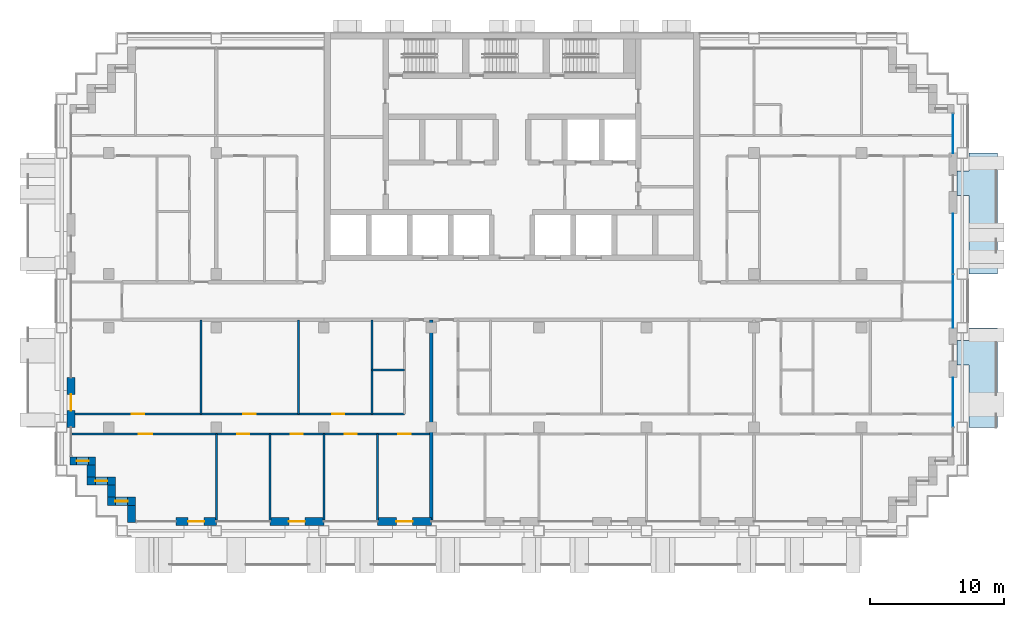
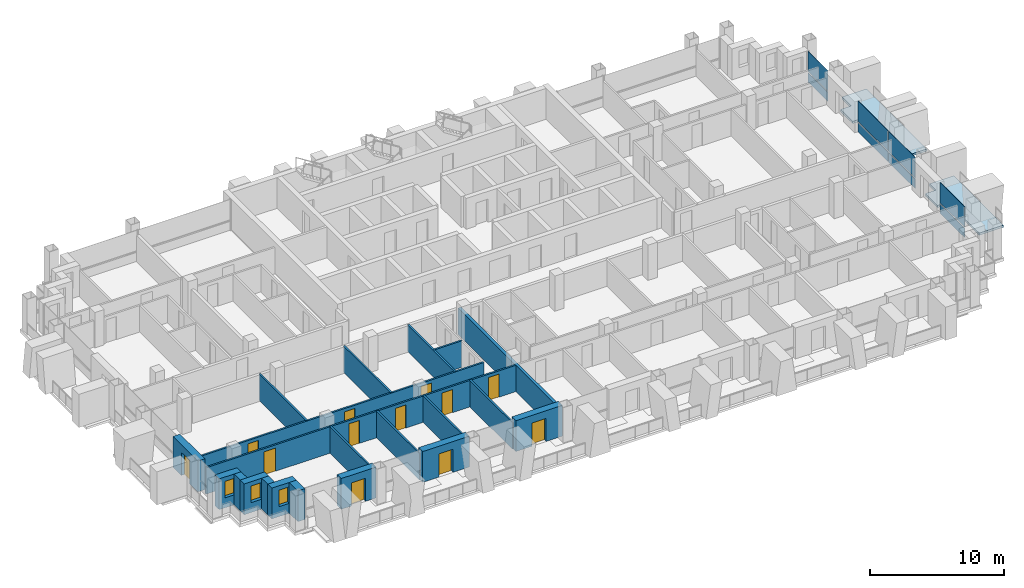
# One storey, part 7 of 17: 21 walls, 12 doors, 8 plates, 3 windows, 2 slabs, 15 openings, 3 elements without a shape of their own.
"""IFC4 building model written with IfcOpenShell, lengths in metres."""

from ifc_helpers import new_model, si_unit, direction, frame, frame_2d, origin, origin_2d, place, context, subcontext, project, spatial, polyline, rectangle, outline, extrude, material, layer, layer_set, type_object, element, fill, aggregate, save


model = new_model("IFC4")

# Units and contexts
model_context = context("Model", 3, precision=1e-05, world=origin(), true_north=direction((0.0, 1.0)))
body_context = subcontext(model_context, "Body", "Model", "MODEL_VIEW")
ifc_project = project(units=[si_unit("LENGTHUNIT", "METRE"), si_unit("AREAUNIT", "SQUARE_METRE"), si_unit("VOLUMEUNIT", "CUBIC_METRE"), si_unit("PLANEANGLEUNIT", "RADIAN"), si_unit("MASSUNIT", "GRAM", prefix="KILO")], contexts=[model_context])

# Site, building, storey
site_placement = place(None, origin())
site = spatial("IfcSite", under=ifc_project, at=site_placement, CompositionType="ELEMENT")
building_placement = place(site_placement, origin())
building = spatial("IfcBuilding", under=site, at=building_placement, Name="Vidyagriha Tower", CompositionType="ELEMENT")
storey_placement = place(building_placement, frame((0.0, 0.0, 148.60009765625)))
storey = spatial("IfcBuildingStorey", under=building, at=storey_placement, Name="L39", CompositionType="ELEMENT", Elevation=148.60009765625)

# Curtain wall, plate
ifc_material_1 = material(Name="Aluminium and glass curtain wall", Category="aluminium")
curtain_wall_type = type_object("IfcCurtainWallType", Name="Dwelling skin unitised curtain wall", PredefinedType="USERDEFINED", material=ifc_material_1)
curtain_wall_1_placement = place(storey_placement, origin())
curtain_wall_1 = element("IfcCurtainWall", 1, at=curtain_wall_1_placement, inside=storey, type_object=curtain_wall_type, Name="CW1 dwelling skin", ObjectType="UNITISED", PredefinedType="USERDEFINED")
ifc_material_2 = material(Name="Glass dark ceramic-fritted spandrel", Category="glass")
ifc_layer_1 = layer(ifc_material_2, 0.0400390625)
ifc_layer_set_1 = layer_set([ifc_layer_1], Name="Glass dark ceramic-fritted spandrel")
plate_type_1 = type_object("IfcPlateType", Name="Ceramic-fritted spandrel panel", PredefinedType="CURTAIN_PANEL", material=ifc_layer_set_1)
plate_1_placement = place(storey_placement, frame((32.800048828125, -7.532470703125, -0.000244140625), z_axis=(0.0, 0.0, 1.0), x_axis=(0.0, 1.0, 0.0)))
plate_1 = element("IfcPlate", 2, at=plate_1_placement, type_object=plate_type_1, Name="CW1 panel 2.1", PredefinedType="CURTAIN_PANEL", context=body_context, shape_type="SweptSolid", body=[
    extrude(rectangle(XDim=3.6650390625, YDim=0.0400390625, at=origin_2d()), origin(), (0.0, 0.0, 1.0), 0.85009765625),
])

curtain_wall_2_placement = place(storey_placement, origin())
curtain_wall_2 = element("IfcCurtainWall", 3, at=curtain_wall_2_placement, inside=storey, type_object=curtain_wall_type, Name="CW1 dwelling skin", ObjectType="UNITISED", PredefinedType="USERDEFINED")
plate_2_placement = place(storey_placement, frame((32.800048828125, 12.465087890625, -0.000244140625), z_axis=(0.0, 0.0, 1.0), x_axis=(0.0, 1.0, 0.0)))
plate_2 = element("IfcPlate", 4, at=plate_2_placement, type_object=plate_type_1, Name="CW1 panel 1.1", PredefinedType="CURTAIN_PANEL", context=body_context, shape_type="SweptSolid", body=[
    extrude(rectangle(XDim=2.929931640625, YDim=0.0400390625, at=origin_2d()), origin(), (0.0, 0.0, 1.0), 0.85009765625),
])

# Plate
ifc_material_3 = material(Name="Glass dark ceramic-fritted", Category="glass")
ifc_layer_2 = layer(ifc_material_3, 0.028076171875)
ifc_layer_set_2 = layer_set([ifc_layer_2], Name="Glass dark ceramic-fritted")
plate_type_2 = type_object("IfcPlateType", Name="Dark ceramic-fritted vision glass panel", PredefinedType="CURTAIN_PANEL", material=ifc_layer_set_2)
plate_3_placement = place(storey_placement, frame((32.800048828125, -7.532470703125, 0.949951171875), z_axis=(0.0, 0.0, 1.0), x_axis=(0.0, 1.0, 0.0)))
plate_3 = element("IfcPlate", 5, at=plate_3_placement, type_object=plate_type_2, Name="CW1 panel 2.2", PredefinedType="CURTAIN_PANEL", context=body_context, shape_type="SweptSolid", body=[
    extrude(rectangle(XDim=3.6650390625, YDim=0.028076171875, at=origin_2d()), origin(), (0.0, 0.0, 1.0), 1.85009765625),
])

aggregate(curtain_wall_1, [plate_1, plate_3])

# Curtain wall, plates
curtain_wall_3_placement = place(storey_placement, origin())
curtain_wall_3 = element("IfcCurtainWall", 6, at=curtain_wall_3_placement, inside=storey, type_object=curtain_wall_type, Name="CW1 dwelling skin", ObjectType="UNITISED", PredefinedType="USERDEFINED")
plate_4_placement = place(storey_placement, frame((32.800048828125, -0.017578125, 0.949951171875), z_axis=(0.0, 0.0, 1.0), x_axis=(0.0, 1.0, 0.0)))
plate_4 = element("IfcPlate", 7, at=plate_4_placement, type_object=plate_type_2, Name="CW1 panel 1.2", PredefinedType="CURTAIN_PANEL", context=body_context, shape_type="SweptSolid", body=[
    extrude(rectangle(XDim=3.965087890625, YDim=0.028076171875, at=origin_2d()), origin(), (0.0, 0.0, 1.0), 1.85009765625),
])
plate_5_placement = place(storey_placement, frame((32.800048828125, 4.267578125, 0.949951171875), z_axis=(0.0, 0.0, 1.0), x_axis=(0.0, 1.0, 0.0)))
plate_5 = element("IfcPlate", 8, at=plate_5_placement, type_object=plate_type_2, Name="CW1 panel 2.2", PredefinedType="CURTAIN_PANEL", context=body_context, shape_type="SweptSolid", body=[
    extrude(rectangle(XDim=4.465087890625, YDim=0.028076171875, at=origin_2d()), origin(), (0.0, 0.0, 1.0), 1.85009765625),
])

# Plate
plate_6_placement = place(storey_placement, frame((32.800048828125, 12.465087890625, 0.949951171875), z_axis=(0.0, 0.0, 1.0), x_axis=(0.0, 1.0, 0.0)))
plate_6 = element("IfcPlate", 9, at=plate_6_placement, type_object=plate_type_2, Name="CW1 panel 1.2", PredefinedType="CURTAIN_PANEL", context=body_context, shape_type="SweptSolid", body=[
    extrude(rectangle(XDim=2.929931640625, YDim=0.028076171875, at=origin_2d()), origin(), (0.0, 0.0, 1.0), 1.85009765625),
])

aggregate(curtain_wall_2, [plate_2, plate_6])

ifc_material_4 = material(Name="Aluminium black anodised", Category="aluminium")
ifc_layer_3 = layer(ifc_material_4, 0.06005859375)
ifc_layer_set_3 = layer_set([ifc_layer_3], Name="Aluminium black anodised")
plate_type_3 = type_object("IfcPlateType", Name="Operable black-metal vent panel", PredefinedType="CURTAIN_PANEL", material=ifc_layer_set_3)
plate_7_placement = place(storey_placement, frame((32.800048828125, -0.017578125, -0.000244140625), z_axis=(0.0, 0.0, 1.0), x_axis=(0.0, 1.0, 0.0)))
plate_7 = element("IfcPlate", 10, at=plate_7_placement, type_object=plate_type_3, Name="CW1 panel 1.1", PredefinedType="CURTAIN_PANEL", context=body_context, shape_type="SweptSolid", body=[
    extrude(rectangle(XDim=3.965087890625, YDim=0.06005859375, at=origin_2d()), origin(), (0.0, 0.0, 1.0), 0.85009765625),
])

plate_8_placement = place(storey_placement, frame((32.800048828125, 4.267578125, -0.000244140625), z_axis=(0.0, 0.0, 1.0), x_axis=(0.0, 1.0, 0.0)))
plate_8 = element("IfcPlate", 11, at=plate_8_placement, type_object=plate_type_3, Name="CW1 panel 2.1", PredefinedType="CURTAIN_PANEL", context=body_context, shape_type="SweptSolid", body=[
    extrude(rectangle(XDim=4.465087890625, YDim=0.06005859375, at=origin_2d()), origin(), (0.0, 0.0, 1.0), 0.85009765625),
])

aggregate(curtain_wall_3, [plate_7, plate_4, plate_8, plate_5])

# Slabs
ifc_material_5 = material(Name="Precast concrete C40/50", Category="concrete")
ifc_layer_4 = layer(ifc_material_5, 0.199951171875)
ifc_layer_set_4 = layer_set([ifc_layer_4], Name="Precast concrete C40/50")
slab_type = type_object("IfcSlabType", Name="Precast balcony slab 200", PredefinedType="USERDEFINED", material=ifc_layer_set_4)
slab_1_placement = place(storey_placement, frame((0.0, 0.0, -0.2001953125)))
element("IfcSlab", 12, at=slab_1_placement, inside=storey, type_object=slab_type, Name="Balcony slab L39 R30.1-1", ObjectType="BALCONY", PredefinedType="USERDEFINED", context=body_context, shape_type="SweptSolid", body=[
    extrude(outline(polyline([(34.0, -4.75), (34.0, -9.39990234375), (36.10009765625, -9.39990234375), (36.10009765625, -2.0), (34.0, -2.0), (34.0, -2.949951171875), (33.10009765625, -2.949951171875), (33.10009765625, -4.75), (34.0, -4.75)])), origin(), (0.0, 0.0, 1.0), 0.2001953125),
])
slab_2_placement = place(storey_placement, frame((0.0, 0.0, -0.2001953125)))
element("IfcSlab", 13, at=slab_2_placement, inside=storey, type_object=slab_type, Name="Balcony slab L39 R30.2-2", ObjectType="BALCONY", PredefinedType="USERDEFINED", context=body_context, shape_type="SweptSolid", body=[
    extrude(outline(polyline([(34.0, 7.85009765625), (34.0, 2.0), (36.10009765625, 2.0), (36.10009765625, 11.0), (34.0, 11.0), (34.0, 9.64990234375), (33.10009765625, 9.64990234375), (33.10009765625, 7.85009765625), (34.0, 7.85009765625)])), origin(), (0.0, 0.0, 1.0), 0.2001953125),
])

# Wall, opening, door
ifc_material_6 = material(Name="Precast concrete C40/50 with brick facing", Category="concrete")
ifc_layer_5 = layer(ifc_material_6, 0.60009765625)
ifc_layer_set_5 = layer_set([ifc_layer_5], Name="Precast concrete C40/50 with brick facing")
wall_type_1 = type_object("IfcWallType", Name="Brick-faced precast wall 600", PredefinedType="STANDARD", material=ifc_layer_set_5)
wall_1_placement = place(storey_placement, frame((-32.800048828125, -5.699951171875, 0.0), z_axis=(0.0, 0.0, 1.0), x_axis=(0.0, -1.0, 0.0)))
wall_1 = element("IfcWall", 14, at=wall_1_placement, inside=storey, type_object=wall_type_1, Name="Brick door bay wall L39 R16.6", PredefinedType="STANDARD", context=body_context, shape_type="SweptSolid", body=[
    extrude(rectangle(XDim=3.699951171875, YDim=0.60009765625, at=frame_2d((1.85009765625, 0.0))), origin(), (0.0, 0.0, 1.0), 2.7998046875),
])
opening_1_placement = place(wall_1_placement, frame((1.25, 0.0, 0.0)))
opening_1 = element("IfcOpeningElement", 15, at=opening_1_placement, cuts=wall_1, Name="Opening D39-67", PredefinedType="OPENING", context=body_context, shape_type="SweptSolid", body=[
    extrude(rectangle(XDim=1.199951171875, YDim=2.10009765625, at=frame_2d((0.60009765625, 1.050048828125))), frame((0.0, 0.31005859375, 0.0), z_axis=(0.0, -1.0, 0.0), x_axis=(1.0, 0.0, 0.0)), (0.0, 0.0, 1.0), 0.6201171875),
])
ifc_material_7 = material(Name="Aluminium framed glazed sliding door", Category="aluminium")
door_type_1 = type_object("IfcDoorType", Name="Balcony sliding door 1200x2100", OperationType="NOTDEFINED", PredefinedType="DOOR", material=ifc_material_7)
door_1_placement = place(opening_1_placement, origin())
door_1 = element("IfcDoor", 16, at=door_1_placement, inside=storey, type_object=door_type_1, Name="Door D39-67", OperationType="SLIDING_TO_LEFT", OverallHeight=2.10009765625, OverallWidth=1.199951171875, PredefinedType="DOOR", context=body_context, shape_type="SweptSolid", body=[
    extrude(rectangle(XDim=1.199951171875, YDim=2.10009765625, at=frame_2d((0.60009765625, 1.050048828125))), frame((0.0, 0.02490234375, 0.0), z_axis=(0.0, -1.0, 0.0), x_axis=(1.0, 0.0, 0.0)), (0.0, 0.0, 1.0), 0.050048828125),
])
fill(opening_1, door_1)

# Wall, opening, window
wall_2_placement = place(storey_placement, frame((-32.8798828125, -11.89990234375, 0.0)))
wall_2 = element("IfcWall", 17, at=wall_2_placement, inside=storey, type_object=wall_type_1, Name="Stepped corner wall L39 R17", PredefinedType="STANDARD", context=body_context, shape_type="SweptSolid", body=[
    extrude(rectangle(XDim=1.8798828125, YDim=0.60009765625, at=frame_2d((0.93994140625, 0.0))), origin(), (0.0, 0.0, 1.0), 2.7998046875),
])
opening_2_placement = place(wall_2_placement, frame((0.489990234375, 0.0, 0.89990234375)))
opening_2 = element("IfcOpeningElement", 18, at=opening_2_placement, cuts=wall_2, Name="Opening WN1", PredefinedType="OPENING", context=body_context, shape_type="SweptSolid", body=[
    extrude(rectangle(XDim=0.89990234375, YDim=1.5, at=frame_2d((0.449951171875, 0.75))), frame((0.0, 0.31005859375, 0.0), z_axis=(0.0, -1.0, 0.0), x_axis=(1.0, 0.0, 0.0)), (0.0, 0.0, 1.0), 0.6201171875),
])
ifc_material_8 = material(Name="Aluminium and glass window", Category="aluminium")
window_type = type_object("IfcWindowType", Name="Reveal window 900x1500", PartitioningType="NOTDEFINED", PredefinedType="WINDOW", material=ifc_material_8)
window_1_placement = place(opening_2_placement, origin())
window_1 = element("IfcWindow", 19, at=window_1_placement, inside=storey, type_object=window_type, Name="Reveal window L39 R17", OverallHeight=1.5, OverallWidth=0.89990234375, PartitioningType="SINGLE_PANEL", PredefinedType="WINDOW", context=body_context, shape_type="SweptSolid", body=[
    extrude(rectangle(XDim=0.89990234375, YDim=1.5, at=frame_2d((0.449951171875, 0.75))), frame((0.0, 0.030029296875, 0.0), z_axis=(0.0, -1.0, 0.0), x_axis=(1.0, 0.0, 0.0)), (0.0, 0.0, 1.0), 0.06005859375),
])
fill(opening_2, window_1)

# Wall
wall_3_placement = place(storey_placement, frame((-31.300048828125, -12.199951171875, 0.0), z_axis=(0.0, 0.0, 1.0), x_axis=(0.0, -1.0, 0.0)))
element("IfcWall", 20, at=wall_3_placement, inside=storey, type_object=wall_type_1, Name="Stepped corner wall L39 R18", PredefinedType="STANDARD", context=body_context, shape_type="SweptSolid", body=[
    extrude(rectangle(XDim=0.900146484375, YDim=0.60009765625, at=frame_2d((0.4501953125, 0.0))), origin(), (0.0, 0.0, 1.0), 2.7998046875),
])

# Wall, opening, window
wall_4_placement = place(storey_placement, frame((-31.60009765625, -13.39990234375, 0.0)))
wall_4 = element("IfcWall", 21, at=wall_4_placement, inside=storey, type_object=wall_type_1, Name="Stepped corner wall L39 R19", PredefinedType="STANDARD", context=body_context, shape_type="SweptSolid", body=[
    extrude(rectangle(XDim=2.10009765625, YDim=0.60009765625, at=frame_2d((1.050048828125, 0.0))), origin(), (0.0, 0.0, 1.0), 2.7998046875),
])
opening_3_placement = place(wall_4_placement, frame((0.60009765625, 0.0, 0.89990234375)))
opening_3 = element("IfcOpeningElement", 22, at=opening_3_placement, cuts=wall_4, Name="Opening WN1", PredefinedType="OPENING", context=body_context, shape_type="SweptSolid", body=[
    extrude(rectangle(XDim=0.89990234375, YDim=1.5, at=frame_2d((0.449951171875, 0.75))), frame((0.0, 0.31005859375, 0.0), z_axis=(0.0, -1.0, 0.0), x_axis=(1.0, 0.0, 0.0)), (0.0, 0.0, 1.0), 0.6201171875),
])
window_2_placement = place(opening_3_placement, origin())
window_2 = element("IfcWindow", 23, at=window_2_placement, inside=storey, type_object=window_type, Name="Reveal window L39 R19", OverallHeight=1.5, OverallWidth=0.89990234375, PartitioningType="SINGLE_PANEL", PredefinedType="WINDOW", context=body_context, shape_type="SweptSolid", body=[
    extrude(rectangle(XDim=0.89990234375, YDim=1.5, at=frame_2d((0.449951171875, 0.75))), frame((0.0, 0.030029296875, 0.0), z_axis=(0.0, -1.0, 0.0), x_axis=(1.0, 0.0, 0.0)), (0.0, 0.0, 1.0), 0.06005859375),
])
fill(opening_3, window_2)

# Wall
wall_5_placement = place(storey_placement, frame((-29.800048828125, -13.699951171875, 0.0), z_axis=(0.0, 0.0, 1.0), x_axis=(0.0, -1.0, 0.0)))
element("IfcWall", 24, at=wall_5_placement, inside=storey, type_object=wall_type_1, Name="Stepped corner wall L39 R20", PredefinedType="STANDARD", context=body_context, shape_type="SweptSolid", body=[
    extrude(rectangle(XDim=0.900146484375, YDim=0.60009765625, at=frame_2d((0.4501953125, 0.0))), origin(), (0.0, 0.0, 1.0), 2.7998046875),
])

# Wall, opening, window
wall_6_placement = place(storey_placement, frame((-30.10009765625, -14.89990234375, 0.0)))
wall_6 = element("IfcWall", 25, at=wall_6_placement, inside=storey, type_object=wall_type_1, Name="Stepped corner wall L39 R21", PredefinedType="STANDARD", context=body_context, shape_type="SweptSolid", body=[
    extrude(rectangle(XDim=2.10009765625, YDim=0.60009765625, at=frame_2d((1.050048828125, 0.0))), origin(), (0.0, 0.0, 1.0), 2.7998046875),
])
opening_4_placement = place(wall_6_placement, frame((0.60009765625, 0.0, 0.89990234375)))
opening_4 = element("IfcOpeningElement", 26, at=opening_4_placement, cuts=wall_6, Name="Opening WN1", PredefinedType="OPENING", context=body_context, shape_type="SweptSolid", body=[
    extrude(rectangle(XDim=0.89990234375, YDim=1.5, at=frame_2d((0.449951171875, 0.75))), frame((0.0, 0.31005859375, 0.0), z_axis=(0.0, -1.0, 0.0), x_axis=(1.0, 0.0, 0.0)), (0.0, 0.0, 1.0), 0.6201171875),
])
window_3_placement = place(opening_4_placement, origin())
window_3 = element("IfcWindow", 27, at=window_3_placement, inside=storey, type_object=window_type, Name="Reveal window L39 R21", OverallHeight=1.5, OverallWidth=0.89990234375, PartitioningType="SINGLE_PANEL", PredefinedType="WINDOW", context=body_context, shape_type="SweptSolid", body=[
    extrude(rectangle(XDim=0.89990234375, YDim=1.5, at=frame_2d((0.449951171875, 0.75))), frame((0.0, 0.030029296875, 0.0), z_axis=(0.0, -1.0, 0.0), x_axis=(1.0, 0.0, 0.0)), (0.0, 0.0, 1.0), 0.06005859375),
])
fill(opening_4, window_3)

# Wall
wall_7_placement = place(storey_placement, frame((-28.300048828125, -15.199951171875, 0.0), z_axis=(0.0, 0.0, 1.0), x_axis=(0.0, -1.0, 0.0)))
element("IfcWall", 28, at=wall_7_placement, inside=storey, type_object=wall_type_1, Name="Stepped corner wall L39 R22", PredefinedType="STANDARD", context=body_context, shape_type="SweptSolid", body=[
    extrude(rectangle(XDim=1.280029296875, YDim=0.60009765625, at=frame_2d((0.64013671875, 0.0))), origin(), (0.0, 0.0, 1.0), 2.7998046875),
])

# Wall, opening, door
wall_8_placement = place(storey_placement, frame((-25.0, -16.39990234375, 0.0)))
wall_8 = element("IfcWall", 29, at=wall_8_placement, inside=storey, type_object=wall_type_1, Name="Brick door bay wall L39 R23.2", PredefinedType="STANDARD", context=body_context, shape_type="SweptSolid", body=[
    extrude(rectangle(XDim=3.0, YDim=0.60009765625, at=frame_2d((1.5, 0.0))), origin(), (0.0, 0.0, 1.0), 2.7998046875),
])
opening_5_placement = place(wall_8_placement, frame((0.89990234375, 0.0, 0.0)))
opening_5 = element("IfcOpeningElement", 30, at=opening_5_placement, cuts=wall_8, Name="Opening D39-68", PredefinedType="OPENING", context=body_context, shape_type="SweptSolid", body=[
    extrude(rectangle(XDim=1.199951171875, YDim=2.10009765625, at=frame_2d((0.60009765625, 1.050048828125))), frame((0.0, 0.31005859375, 0.0), z_axis=(0.0, -1.0, 0.0), x_axis=(1.0, 0.0, 0.0)), (0.0, 0.0, 1.0), 0.6201171875),
])
door_2_placement = place(opening_5_placement, origin())
door_2 = element("IfcDoor", 31, at=door_2_placement, inside=storey, type_object=door_type_1, Name="Door D39-68", OperationType="SLIDING_TO_LEFT", OverallHeight=2.10009765625, OverallWidth=1.199951171875, PredefinedType="DOOR", context=body_context, shape_type="SweptSolid", body=[
    extrude(rectangle(XDim=1.199951171875, YDim=2.10009765625, at=frame_2d((0.60009765625, 1.050048828125))), frame((0.0, 0.02490234375, 0.0), z_axis=(0.0, -1.0, 0.0), x_axis=(1.0, 0.0, 0.0)), (0.0, 0.0, 1.0), 0.050048828125),
])
fill(opening_5, door_2)

wall_9_placement = place(storey_placement, frame((-18.0, -16.39990234375, 0.0)))
wall_9 = element("IfcWall", 32, at=wall_9_placement, inside=storey, type_object=wall_type_1, Name="Brick door bay wall L39 R23.4", PredefinedType="STANDARD", context=body_context, shape_type="SweptSolid", body=[
    extrude(rectangle(XDim=4.0, YDim=0.60009765625, at=frame_2d((2.0, 0.0))), origin(), (0.0, 0.0, 1.0), 2.7998046875),
])
opening_6_placement = place(wall_9_placement, frame((1.39990234375, 0.0, 0.0)))
opening_6 = element("IfcOpeningElement", 33, at=opening_6_placement, cuts=wall_9, Name="Opening D39-69", PredefinedType="OPENING", context=body_context, shape_type="SweptSolid", body=[
    extrude(rectangle(XDim=1.199951171875, YDim=2.10009765625, at=frame_2d((0.60009765625, 1.050048828125))), frame((0.0, 0.31005859375, 0.0), z_axis=(0.0, -1.0, 0.0), x_axis=(1.0, 0.0, 0.0)), (0.0, 0.0, 1.0), 0.6201171875),
])
door_3_placement = place(opening_6_placement, origin())
door_3 = element("IfcDoor", 34, at=door_3_placement, inside=storey, type_object=door_type_1, Name="Door D39-69", OperationType="SLIDING_TO_LEFT", OverallHeight=2.10009765625, OverallWidth=1.199951171875, PredefinedType="DOOR", context=body_context, shape_type="SweptSolid", body=[
    extrude(rectangle(XDim=1.199951171875, YDim=2.10009765625, at=frame_2d((0.60009765625, 1.050048828125))), frame((0.0, 0.02490234375, 0.0), z_axis=(0.0, -1.0, 0.0), x_axis=(1.0, 0.0, 0.0)), (0.0, 0.0, 1.0), 0.050048828125),
])
fill(opening_6, door_3)

wall_10_placement = place(storey_placement, frame((-10.0, -16.39990234375, 0.0)))
wall_10 = element("IfcWall", 35, at=wall_10_placement, inside=storey, type_object=wall_type_1, Name="Brick door bay wall L39 R23.6", PredefinedType="STANDARD", context=body_context, shape_type="SweptSolid", body=[
    extrude(rectangle(XDim=4.0, YDim=0.60009765625, at=frame_2d((2.0, 0.0))), origin(), (0.0, 0.0, 1.0), 2.7998046875),
])
opening_7_placement = place(wall_10_placement, frame((1.39990234375, 0.0, 0.0)))
opening_7 = element("IfcOpeningElement", 36, at=opening_7_placement, cuts=wall_10, Name="Opening D39-70", PredefinedType="OPENING", context=body_context, shape_type="SweptSolid", body=[
    extrude(rectangle(XDim=1.199951171875, YDim=2.10009765625, at=frame_2d((0.60009765625, 1.050048828125))), frame((0.0, 0.31005859375, 0.0), z_axis=(0.0, -1.0, 0.0), x_axis=(1.0, 0.0, 0.0)), (0.0, 0.0, 1.0), 0.6201171875),
])
door_4_placement = place(opening_7_placement, origin())
door_4 = element("IfcDoor", 37, at=door_4_placement, inside=storey, type_object=door_type_1, Name="Door D39-70", OperationType="SLIDING_TO_LEFT", OverallHeight=2.10009765625, OverallWidth=1.199951171875, PredefinedType="DOOR", context=body_context, shape_type="SweptSolid", body=[
    extrude(rectangle(XDim=1.199951171875, YDim=2.10009765625, at=frame_2d((0.60009765625, 1.050048828125))), frame((0.0, 0.02490234375, 0.0), z_axis=(0.0, -1.0, 0.0), x_axis=(1.0, 0.0, 0.0)), (0.0, 0.0, 1.0), 0.050048828125),
])
fill(opening_7, door_4)

# Walls
ifc_material_9 = material(Name="Fired clay brick masonry", Category="masonry")
ifc_layer_6 = layer(ifc_material_9, 0.25)
ifc_layer_set_6 = layer_set([ifc_layer_6], Name="Fired clay brick masonry")
wall_type_2 = type_object("IfcWallType", Name="Fired clay brick demising wall 250", PredefinedType="PARTITIONING", material=ifc_layer_set_6)
wall_11_placement = place(storey_placement, frame((-6.0, -1.39990234375, 0.0), z_axis=(0.0, 0.0, 1.0), x_axis=(0.0, -1.0, 0.0)))
element("IfcWall", 38, at=wall_11_placement, inside=storey, type_object=wall_type_2, Name="Wall all-L39-w045", PredefinedType="PARTITIONING", context=body_context, shape_type="SweptSolid", body=[
    extrude(rectangle(XDim=14.91015625, YDim=0.25, at=frame_2d((7.455078125, 0.0))), origin(), (0.0, 0.0, 1.0), 2.39990234375),
])
ifc_material_10 = material(Name="Gypsum board partition")
ifc_layer_7 = layer(ifc_material_10, 0.14990234375)
ifc_layer_set_7 = layer_set([ifc_layer_7], Name="Gypsum board partition")
wall_type_3 = type_object("IfcWallType", Name="Gypsum board partition 150", PredefinedType="PARTITIONING", material=ifc_layer_set_7)
wall_12_placement = place(storey_placement, frame((-8.0, -5.14990234375, 0.0), z_axis=(0.0, 0.0, 1.0), x_axis=(-1.0, 0.0, 0.0)))
element("IfcWall", 39, at=wall_12_placement, inside=storey, type_object=wall_type_3, Name="Wall all-L39-w004", PredefinedType="PARTITIONING", context=body_context, shape_type="SweptSolid", body=[
    extrude(rectangle(XDim=2.39990234375, YDim=0.14990234375, at=frame_2d((1.199951171875, 0.0))), origin(), (0.0, 0.0, 1.0), 2.39990234375),
])
for number, where, z_axis, x_axis, name in (
    (40, (-10.39990234375, -8.39990234375, 0.0), (0.0, 0.0, 1.0), (0.0, 1.0, 0.0), "Wall all-L39-w005"),
    (41, (-15.89990234375, -8.39990234375, 0.0), (0.0, 0.0, 1.0), (0.0, 1.0, 0.0), "Wall all-L39-w006"),
    (42, (-23.14990234375, -8.39990234375, 0.0), (0.0, 0.0, 1.0), (0.0, 1.0, 0.0), "Wall all-L39-w007"),
):
    element("IfcWall", number, at=place(storey_placement, frame(where, z_axis=z_axis, x_axis=x_axis)), inside=storey, type_object=wall_type_3, Name=name, PredefinedType="PARTITIONING", context=body_context, shape_type="SweptSolid", body=[
        extrude(rectangle(XDim=7.0, YDim=0.14990234375, at=frame_2d((3.5, 0.0))), origin(), (0.0, 0.0, 1.0), 2.39990234375),
    ])

# Wall, openings, doors
wall_13_placement = place(storey_placement, frame((-32.7099609375, -8.39990234375, 0.0)))
wall_13 = element("IfcWall", 43, at=wall_13_placement, inside=storey, type_object=wall_type_3, Name="Wall all-L39-w008", PredefinedType="PARTITIONING", context=body_context, shape_type="SweptSolid", body=[
    extrude(rectangle(XDim=24.7099609375, YDim=0.14990234375, at=frame_2d((12.35498046875, 0.0))), origin(), (0.0, 0.0, 1.0), 2.39990234375),
])
opening_8_placement = place(wall_13_placement, frame((19.327880859375, 0.0, 0.0)))
opening_8 = element("IfcOpeningElement", 44, at=opening_8_placement, cuts=wall_13, Name="Opening D39-16", PredefinedType="OPENING", context=body_context, shape_type="SweptSolid", body=[
    extrude(rectangle(XDim=0.89990234375, YDim=2.10009765625, at=frame_2d((0.449951171875, 1.050048828125))), frame((0.0, 0.0849609375, 0.0), z_axis=(0.0, -1.0, 0.0), x_axis=(1.0, 0.0, 0.0)), (0.0, 0.0, 1.0), 0.169921875),
])
opening_9_placement = place(wall_13_placement, frame((12.735107421875, 0.0, 0.0)))
opening_9 = element("IfcOpeningElement", 45, at=opening_9_placement, cuts=wall_13, Name="Opening D39-17", PredefinedType="OPENING", context=body_context, shape_type="SweptSolid", body=[
    extrude(rectangle(XDim=0.89990234375, YDim=2.10009765625, at=frame_2d((0.449951171875, 1.050048828125))), frame((0.0, 0.0849609375, 0.0), z_axis=(0.0, -1.0, 0.0), x_axis=(1.0, 0.0, 0.0)), (0.0, 0.0, 1.0), 0.169921875),
])
opening_10_placement = place(wall_13_placement, frame((4.43505859375, 0.0, 0.0)))
opening_10 = element("IfcOpeningElement", 46, at=opening_10_placement, cuts=wall_13, Name="Opening D39-18", PredefinedType="OPENING", context=body_context, shape_type="SweptSolid", body=[
    extrude(rectangle(XDim=0.89990234375, YDim=2.10009765625, at=frame_2d((0.449951171875, 1.050048828125))), frame((0.0, 0.0849609375, 0.0), z_axis=(0.0, -1.0, 0.0), x_axis=(1.0, 0.0, 0.0)), (0.0, 0.0, 1.0), 0.169921875),
])
ifc_material_11 = material(Name="Timber door leaf", Category="wood")
door_type_2 = type_object("IfcDoorType", Name="Room door 900x2100", OperationType="NOTDEFINED", PredefinedType="DOOR", material=ifc_material_11)
door_5_placement = place(opening_8_placement, origin())
door_5 = element("IfcDoor", 47, at=door_5_placement, inside=storey, type_object=door_type_2, Name="Door D39-16", OperationType="SINGLE_SWING_RIGHT", OverallHeight=2.10009765625, OverallWidth=0.89990234375, PredefinedType="DOOR", context=body_context, shape_type="SweptSolid", body=[
    extrude(rectangle(XDim=0.89990234375, YDim=2.10009765625, at=frame_2d((0.449951171875, 1.050048828125))), frame((0.0, 0.02490234375, 0.0), z_axis=(0.0, -1.0, 0.0), x_axis=(1.0, 0.0, 0.0)), (0.0, 0.0, 1.0), 0.050048828125),
])
fill(opening_8, door_5)
door_6_placement = place(opening_9_placement, origin())
door_6 = element("IfcDoor", 48, at=door_6_placement, inside=storey, type_object=door_type_2, Name="Door D39-17", OperationType="SINGLE_SWING_RIGHT", OverallHeight=2.10009765625, OverallWidth=0.89990234375, PredefinedType="DOOR", context=body_context, shape_type="SweptSolid", body=[
    extrude(rectangle(XDim=0.89990234375, YDim=2.10009765625, at=frame_2d((0.449951171875, 1.050048828125))), frame((0.0, 0.02490234375, 0.0), z_axis=(0.0, -1.0, 0.0), x_axis=(1.0, 0.0, 0.0)), (0.0, 0.0, 1.0), 0.050048828125),
])
fill(opening_9, door_6)
door_7_placement = place(opening_10_placement, origin())
door_7 = element("IfcDoor", 49, at=door_7_placement, inside=storey, type_object=door_type_2, Name="Door D39-18", OperationType="SINGLE_SWING_RIGHT", OverallHeight=2.10009765625, OverallWidth=0.89990234375, PredefinedType="DOOR", context=body_context, shape_type="SweptSolid", body=[
    extrude(rectangle(XDim=0.89990234375, YDim=2.10009765625, at=frame_2d((0.449951171875, 1.050048828125))), frame((0.0, 0.02490234375, 0.0), z_axis=(0.0, -1.0, 0.0), x_axis=(1.0, 0.0, 0.0)), (0.0, 0.0, 1.0), 0.050048828125),
])
fill(opening_10, door_7)

wall_14_placement = place(storey_placement, frame((-6.0, -9.89990234375, 0.0), z_axis=(0.0, 0.0, 1.0), x_axis=(-1.0, 0.0, 0.0)))
wall_14 = element("IfcWall", 50, at=wall_14_placement, inside=storey, type_object=wall_type_3, Name="Wall all-L39-w012", PredefinedType="PARTITIONING", context=body_context, shape_type="SweptSolid", body=[
    extrude(rectangle(XDim=26.719970703125, YDim=0.14990234375, at=frame_2d((13.35986328125, 0.0))), origin(), (0.0, 0.0, 1.0), 2.39990234375),
])
opening_11_placement = place(wall_14_placement, frame((20.75, 0.0, 0.0)))
opening_11 = element("IfcOpeningElement", 51, at=opening_11_placement, cuts=wall_14, Name="Opening D39-19", PredefinedType="OPENING", context=body_context, shape_type="SweptSolid", body=[
    extrude(rectangle(XDim=1.0, YDim=2.10009765625, at=frame_2d((0.5, 1.050048828125))), frame((0.0, 0.0849609375, 0.0), z_axis=(0.0, -1.0, 0.0), x_axis=(1.0, 0.0, 0.0)), (0.0, 0.0, 1.0), 0.169921875),
])
opening_12_placement = place(wall_14_placement, frame((13.550048828125, 0.0, 0.0)))
opening_12 = element("IfcOpeningElement", 52, at=opening_12_placement, cuts=wall_14, Name="Opening D39-20", PredefinedType="OPENING", context=body_context, shape_type="SweptSolid", body=[
    extrude(rectangle(XDim=0.89990234375, YDim=2.10009765625, at=frame_2d((0.449951171875, 1.050048828125))), frame((0.0, 0.0849609375, 0.0), z_axis=(0.0, -1.0, 0.0), x_axis=(1.0, 0.0, 0.0)), (0.0, 0.0, 1.0), 0.169921875),
])
opening_13_placement = place(wall_14_placement, frame((9.550048828125, 0.0, 0.0)))
opening_13 = element("IfcOpeningElement", 53, at=opening_13_placement, cuts=wall_14, Name="Opening D39-21", PredefinedType="OPENING", context=body_context, shape_type="SweptSolid", body=[
    extrude(rectangle(XDim=0.89990234375, YDim=2.10009765625, at=frame_2d((0.449951171875, 1.050048828125))), frame((0.0, 0.0849609375, 0.0), z_axis=(0.0, -1.0, 0.0), x_axis=(1.0, 0.0, 0.0)), (0.0, 0.0, 1.0), 0.169921875),
])
opening_14_placement = place(wall_14_placement, frame((5.550048828125, 0.0, 0.0)))
opening_14 = element("IfcOpeningElement", 54, at=opening_14_placement, cuts=wall_14, Name="Opening D39-22", PredefinedType="OPENING", context=body_context, shape_type="SweptSolid", body=[
    extrude(rectangle(XDim=0.89990234375, YDim=2.10009765625, at=frame_2d((0.449951171875, 1.050048828125))), frame((0.0, 0.0849609375, 0.0), z_axis=(0.0, -1.0, 0.0), x_axis=(1.0, 0.0, 0.0)), (0.0, 0.0, 1.0), 0.169921875),
])
opening_15_placement = place(wall_14_placement, frame((1.550048828125, 0.0, 0.0)))
opening_15 = element("IfcOpeningElement", 55, at=opening_15_placement, cuts=wall_14, Name="Opening D39-23", PredefinedType="OPENING", context=body_context, shape_type="SweptSolid", body=[
    extrude(rectangle(XDim=0.89990234375, YDim=2.10009765625, at=frame_2d((0.449951171875, 1.050048828125))), frame((0.0, 0.0849609375, 0.0), z_axis=(0.0, -1.0, 0.0), x_axis=(1.0, 0.0, 0.0)), (0.0, 0.0, 1.0), 0.169921875),
])
ifc_material_12 = material(Name="Timber door leaf", Category="wood")
door_type_3 = type_object("IfcDoorType", Name="Room door 1000x2100", OperationType="NOTDEFINED", PredefinedType="DOOR", material=ifc_material_12)
door_8_placement = place(opening_11_placement, origin())
door_8 = element("IfcDoor", 56, at=door_8_placement, inside=storey, type_object=door_type_3, Name="Door D39-19", OperationType="SINGLE_SWING_RIGHT", OverallHeight=2.10009765625, OverallWidth=1.0, PredefinedType="DOOR", context=body_context, shape_type="SweptSolid", body=[
    extrude(rectangle(XDim=1.0, YDim=2.10009765625, at=frame_2d((0.5, 1.050048828125))), frame((0.0, 0.02490234375, 0.0), z_axis=(0.0, -1.0, 0.0), x_axis=(1.0, 0.0, 0.0)), (0.0, 0.0, 1.0), 0.050048828125),
])
fill(opening_11, door_8)
door_9_placement = place(opening_12_placement, origin())
door_9 = element("IfcDoor", 57, at=door_9_placement, inside=storey, type_object=door_type_2, Name="Door D39-20", OperationType="SINGLE_SWING_RIGHT", OverallHeight=2.10009765625, OverallWidth=0.89990234375, PredefinedType="DOOR", context=body_context, shape_type="SweptSolid", body=[
    extrude(rectangle(XDim=0.89990234375, YDim=2.10009765625, at=frame_2d((0.449951171875, 1.050048828125))), frame((0.0, 0.02490234375, 0.0), z_axis=(0.0, -1.0, 0.0), x_axis=(1.0, 0.0, 0.0)), (0.0, 0.0, 1.0), 0.050048828125),
])
fill(opening_12, door_9)
door_10_placement = place(opening_13_placement, origin())
door_10 = element("IfcDoor", 58, at=door_10_placement, inside=storey, type_object=door_type_2, Name="Door D39-21", OperationType="SINGLE_SWING_RIGHT", OverallHeight=2.10009765625, OverallWidth=0.89990234375, PredefinedType="DOOR", context=body_context, shape_type="SweptSolid", body=[
    extrude(rectangle(XDim=0.89990234375, YDim=2.10009765625, at=frame_2d((0.449951171875, 1.050048828125))), frame((0.0, 0.02490234375, 0.0), z_axis=(0.0, -1.0, 0.0), x_axis=(1.0, 0.0, 0.0)), (0.0, 0.0, 1.0), 0.050048828125),
])
fill(opening_13, door_10)
door_11_placement = place(opening_14_placement, origin())
door_11 = element("IfcDoor", 59, at=door_11_placement, inside=storey, type_object=door_type_2, Name="Door D39-22", OperationType="SINGLE_SWING_RIGHT", OverallHeight=2.10009765625, OverallWidth=0.89990234375, PredefinedType="DOOR", context=body_context, shape_type="SweptSolid", body=[
    extrude(rectangle(XDim=0.89990234375, YDim=2.10009765625, at=frame_2d((0.449951171875, 1.050048828125))), frame((0.0, 0.02490234375, 0.0), z_axis=(0.0, -1.0, 0.0), x_axis=(1.0, 0.0, 0.0)), (0.0, 0.0, 1.0), 0.050048828125),
])
fill(opening_14, door_11)
door_12_placement = place(opening_15_placement, origin())
door_12 = element("IfcDoor", 60, at=door_12_placement, inside=storey, type_object=door_type_2, Name="Door D39-23", OperationType="SINGLE_SWING_RIGHT", OverallHeight=2.10009765625, OverallWidth=0.89990234375, PredefinedType="DOOR", context=body_context, shape_type="SweptSolid", body=[
    extrude(rectangle(XDim=0.89990234375, YDim=2.10009765625, at=frame_2d((0.449951171875, 1.050048828125))), frame((0.0, 0.02490234375, 0.0), z_axis=(0.0, -1.0, 0.0), x_axis=(1.0, 0.0, 0.0)), (0.0, 0.0, 1.0), 0.050048828125),
])
fill(opening_15, door_12)

# Walls
wall_15_placement = place(storey_placement, frame((-22.0, -9.89990234375, 0.0), z_axis=(0.0, 0.0, 1.0), x_axis=(0.0, -1.0, 0.0)))
element("IfcWall", 61, at=wall_15_placement, inside=storey, type_object=wall_type_3, Name="Wall all-L39-w018", PredefinedType="PARTITIONING", context=body_context, shape_type="SweptSolid", body=[
    extrude(rectangle(XDim=6.41015625, YDim=0.14990234375, at=frame_2d((3.205078125, 0.0))), origin(), (0.0, 0.0, 1.0), 2.39990234375),
])
wall_16_placement = place(storey_placement, frame((-18.0, -9.89990234375, 0.0), z_axis=(0.0, 0.0, 1.0), x_axis=(0.0, -1.0, 0.0)))
element("IfcWall", 62, at=wall_16_placement, inside=storey, type_object=wall_type_3, Name="Wall all-L39-w019", PredefinedType="PARTITIONING", context=body_context, shape_type="SweptSolid", body=[
    extrude(rectangle(XDim=6.421142578125, YDim=0.14990234375, at=frame_2d((3.21044921875, 0.0))), origin(), (0.0, 0.0, 1.0), 2.39990234375),
])
wall_17_placement = place(storey_placement, frame((-14.0, -9.89990234375, 0.0), z_axis=(0.0, 0.0, 1.0), x_axis=(0.0, -1.0, 0.0)))
element("IfcWall", 63, at=wall_17_placement, inside=storey, type_object=wall_type_3, Name="Wall all-L39-w020", PredefinedType="PARTITIONING", context=body_context, shape_type="SweptSolid", body=[
    extrude(rectangle(XDim=6.41015625, YDim=0.14990234375, at=frame_2d((3.205078125, 0.0))), origin(), (0.0, 0.0, 1.0), 2.39990234375),
])
wall_18_placement = place(storey_placement, frame((-10.0, -9.89990234375, 0.0), z_axis=(0.0, 0.0, 1.0), x_axis=(0.0, -1.0, 0.0)))
element("IfcWall", 64, at=wall_18_placement, inside=storey, type_object=wall_type_3, Name="Wall all-L39-w021", PredefinedType="PARTITIONING", context=body_context, shape_type="SweptSolid", body=[
    extrude(rectangle(XDim=6.421142578125, YDim=0.14990234375, at=frame_2d((3.21044921875, 0.0))), origin(), (0.0, 0.0, 1.0), 2.39990234375),
])

save(model, "model.ifc")
